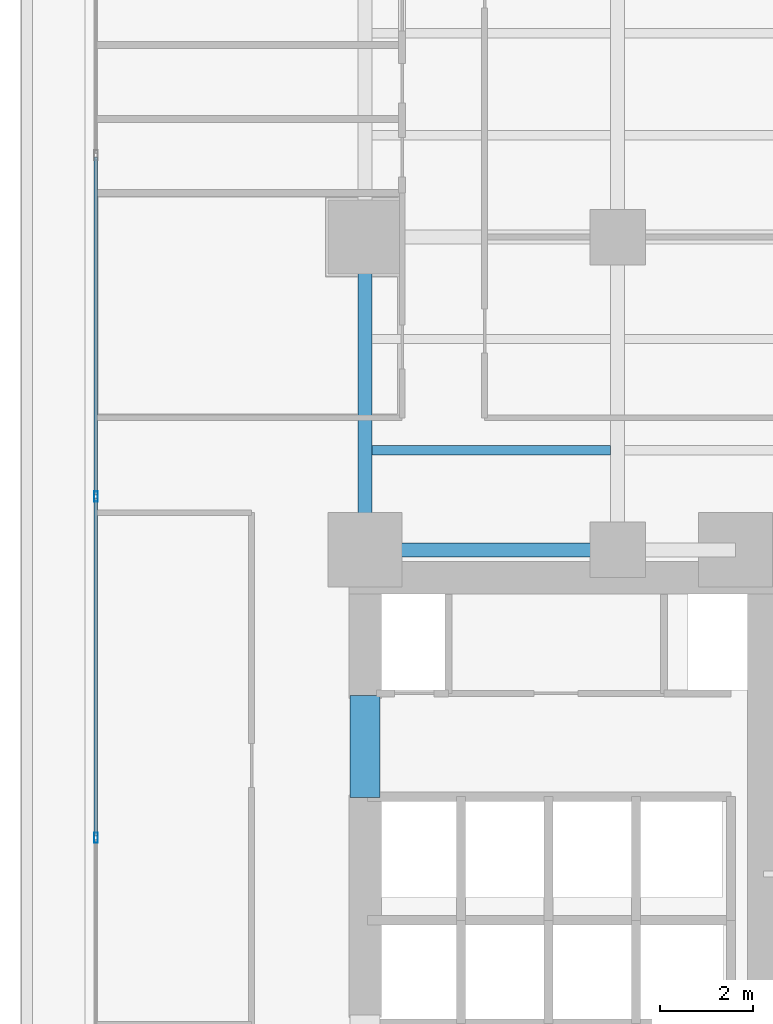
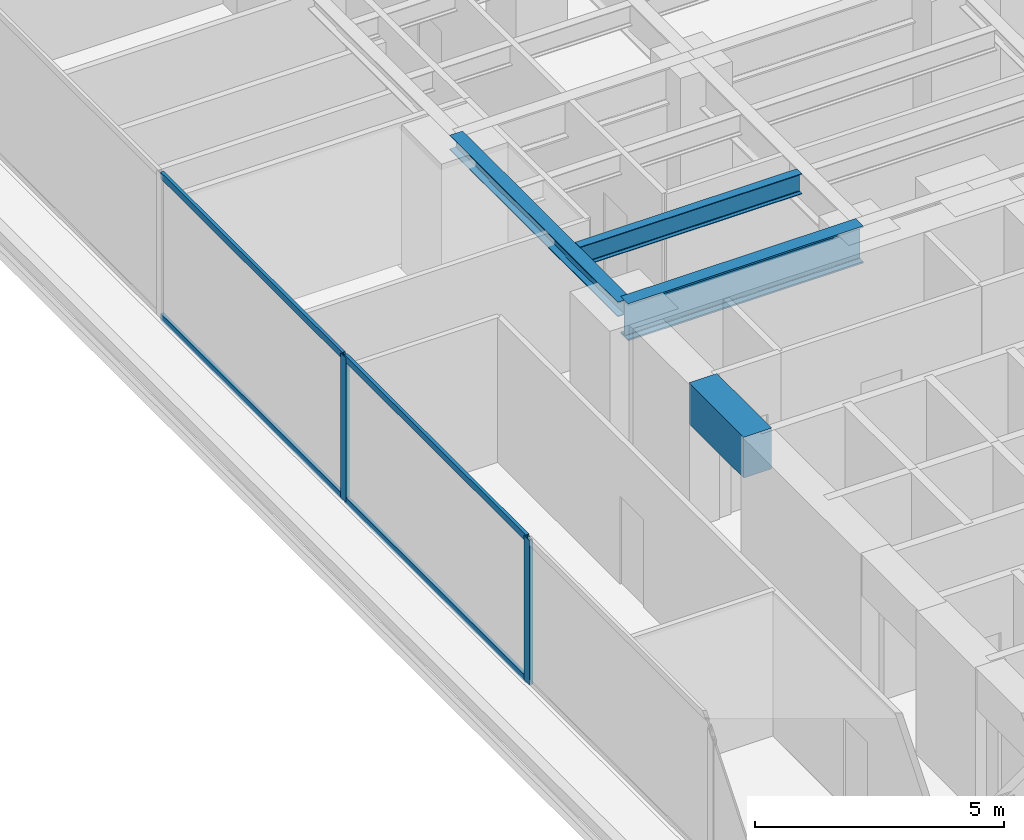
# One storey, part 6 of 29: 6 members, 4 beams, 1 element without a shape of its own.
"""IFC4 building model written with IfcOpenShell, lengths in metres."""

import ifcopenshell
import ifcopenshell.guid

model = None  # the IFC model being written
_history = None  # IfcOwnerHistory: only IFC2X3 demands one
_inside = {}  # id of a spatial element -> (the spatial element, [elements in it])
_under = {}  # id of a project, library or spatial element -> (it, [spatial elements below it])
_declared = {}  # id of a project -> (the project, [libraries it declares])
_typed = {}  # id of a type object -> (the type object, [elements of that type])
_made_of = {}  # id of a material, layer set ... -> (it, [elements and type objects made of it])


def new_model(schema):
    """Start an empty IFC model of exactly this schema.

    Asked for "IFC4X3", IfcOpenShell would pick the latest addendum, in which some entities
    have other attributes; the version numbers below select the first issue.
    IFC2X3 requires an IfcOwnerHistory on every rooted entity: one is made here for all.
    """
    global model, _history
    if schema == "IFC4X3":
        model = ifcopenshell.file(schema_version=(4, 3, 0, 0))
    else:
        model = ifcopenshell.file(schema=schema)
    _inside.clear()
    _under.clear()
    _declared.clear()
    _typed.clear()
    _made_of.clear()
    _history = None
    if model.schema == "IFC2X3":
        org = make("IfcOrganization", Name="unknown")
        user = make(
            "IfcPersonAndOrganization",
            ThePerson=make("IfcPerson", FamilyName="unknown"),
            TheOrganization=org,
        )
        app = make(
            "IfcApplication",
            ApplicationDeveloper=org,
            Version="unknown",
            ApplicationFullName="unknown",
            ApplicationIdentifier="unknown",
        )
        _history = make(
            "IfcOwnerHistory",
            OwningUser=user,
            OwningApplication=app,
            ChangeAction="ADDED",
            CreationDate=0,
        )
    return model


def make(cls, **values):
    """One entity of the class cls with the attributes given. An attribute that is None is left unset."""
    return model.create_entity(
        cls, **{name: value for name, value in values.items() if value is not None}
    )


def rooted(cls, **values):
    """An entity with a GlobalId (a new one), such as an element, a storey or a relation."""
    return make(cls, GlobalId=ifcopenshell.guid.new(), OwnerHistory=_history, **values)


def si_unit(unit_type, name, prefix=None):
    """IfcSIUnit, for example si_unit("LENGTHUNIT", "METRE", prefix="MILLI")."""
    return make("IfcSIUnit", UnitType=unit_type, Prefix=prefix, Name=name)


def assignment(units):
    """IfcUnitAssignment: the units of a project."""
    return None if units is None else make("IfcUnitAssignment", Units=units)


def point(xyz):
    """IfcCartesianPoint."""
    return None if xyz is None else make("IfcCartesianPoint", Coordinates=xyz)


def direction(xyz):
    """IfcDirection."""
    return None if xyz is None else make("IfcDirection", DirectionRatios=xyz)


def frame(location, z_axis=None, x_axis=None):
    """IfcAxis2Placement3D, a coordinate frame: its origin and axes. An axis left out is left unset."""
    return make(
        "IfcAxis2Placement3D",
        Location=point(location),
        Axis=direction(z_axis),
        RefDirection=direction(x_axis),
    )


def frame_2d(location, x_axis=None):
    """IfcAxis2Placement2D, a coordinate frame in the plane: its origin and x axis."""
    return make(
        "IfcAxis2Placement2D", Location=point(location), RefDirection=direction(x_axis)
    )


def origin():
    """The frame at (0, 0, 0) with its axes left unset."""
    return frame((0.0, 0.0, 0.0))


def origin_with_axes():
    """The frame at (0, 0, 0) with the z axis (0, 0, 1) and the x axis (1, 0, 0) written out."""
    return frame((0.0, 0.0, 0.0), z_axis=(0.0, 0.0, 1.0), x_axis=(1.0, 0.0, 0.0))


def origin_2d():
    """The frame at (0, 0) in the plane with its x axis left unset."""
    return frame_2d((0.0, 0.0))


def place(relative_to, where):
    """IfcLocalPlacement: puts the frame where relative to a parent placement (None: the world)."""
    return make(
        "IfcLocalPlacement", PlacementRelTo=relative_to, RelativePlacement=where
    )


def context(
    kind, dimensions, precision=None, world=None, true_north=None, identifier=None
):
    """IfcGeometricRepresentationContext, for example the 3D "Model" context."""
    return make(
        "IfcGeometricRepresentationContext",
        ContextIdentifier=identifier,
        ContextType=kind,
        CoordinateSpaceDimension=dimensions,
        Precision=precision,
        WorldCoordinateSystem=world,
        TrueNorth=true_north,
    )


def subcontext(parent, identifier, kind, view, scale=None):
    """IfcGeometricRepresentationSubContext, for example "Body" below "Model"."""
    return make(
        "IfcGeometricRepresentationSubContext",
        ContextIdentifier=identifier,
        ContextType=kind,
        ParentContext=parent,
        TargetScale=scale,
        TargetView=view,
    )


def project(units=None, contexts=None):
    """IfcProject with its units and contexts."""
    return rooted(
        "IfcProject",
        Name="project",
        RepresentationContexts=contexts,
        UnitsInContext=assignment(units),
    )


def spatial(cls, under=None, at=None, **own):
    """A site, building, storey or space (cls), placed at a placement, below another one or the project."""
    s = rooted(cls, ObjectPlacement=at, **own)
    if under is not None:
        _under.setdefault(under.id(), (under, []))[1].append(s)
    return s


def profile(cls, at=None, kind="AREA", **sizes):
    """A parametric profile (cls). Its sizes go by their IFC names, for example OverallWidth=200.0."""
    return make(cls, ProfileType=kind, Position=at, **sizes)


def rectangle(**sizes):
    """IfcRectangleProfileDef."""
    return profile("IfcRectangleProfileDef", **sizes)


def hollow_rectangle(**sizes):
    """IfcRectangleHollowProfileDef."""
    return profile("IfcRectangleHollowProfileDef", **sizes)


def i_section(**sizes):
    """IfcIShapeProfileDef."""
    return profile("IfcIShapeProfileDef", **sizes)


def extrude(swept, where, along, depth):
    """IfcExtrudedAreaSolid: the profile swept, set in the frame where, extruded along a direction by depth."""
    return make(
        "IfcExtrudedAreaSolid",
        SweptArea=swept,
        Position=where,
        ExtrudedDirection=direction(along),
        Depth=depth,
    )


def shape(context_of_items, identifier, shape_type, items):
    """IfcShapeRepresentation: the items that make up one representation, for example the "Body"."""
    return make(
        "IfcShapeRepresentation",
        ContextOfItems=context_of_items,
        RepresentationIdentifier=identifier,
        RepresentationType=shape_type,
        Items=items,
    )


def source(mapping_origin, context_of_items, identifier, shape_type, items):
    """IfcRepresentationMap: a shape defined once, which mapped items show again and again."""
    return make(
        "IfcRepresentationMap",
        MappingOrigin=mapping_origin,
        MappedRepresentation=shape(context_of_items, identifier, shape_type, items),
    )


def transform(
    local_origin,
    x_axis=None,
    y_axis=None,
    z_axis=None,
    scale=None,
    scale2=None,
    scale3=None,
    uniform=True,
):
    """IfcCartesianTransformationOperator3D, or its non-uniform kind. x_axis, y_axis, z_axis: its Axis1, 2, 3."""
    if uniform:
        return make(
            "IfcCartesianTransformationOperator3D",
            Axis1=direction(x_axis),
            Axis2=direction(y_axis),
            LocalOrigin=point(local_origin),
            Scale=scale,
            Axis3=direction(z_axis),
        )
    return make(
        "IfcCartesianTransformationOperator3DnonUniform",
        Axis1=direction(x_axis),
        Axis2=direction(y_axis),
        LocalOrigin=point(local_origin),
        Scale=scale,
        Axis3=direction(z_axis),
        Scale2=scale2,
        Scale3=scale3,
    )


def mapped(mapping_source, mapping_target):
    """IfcMappedItem: shows the shape of a source again, moved by a transform."""
    return make(
        "IfcMappedItem", MappingSource=mapping_source, MappingTarget=mapping_target
    )


def material(Name=None, Category=None):
    """IfcMaterial."""
    return make("IfcMaterial", Name=Name, Category=Category)


def layer(
    of_material, thickness, ventilated=None, Name=None, Category=None, Priority=None
):
    """IfcMaterialLayer: one layer of a wall or slab, of a material (None: an air gap)."""
    return make(
        "IfcMaterialLayer",
        Material=of_material,
        LayerThickness=thickness,
        IsVentilated=ventilated,
        Name=Name,
        Category=Category,
        Priority=Priority,
    )


def layer_set(layers, Name=None):
    """IfcMaterialLayerSet."""
    return make("IfcMaterialLayerSet", MaterialLayers=layers, LayerSetName=Name)


def material_profile(
    of_material, cross_section, Name=None, Category=None, Priority=None
):
    """IfcMaterialProfile: a cross section and its material."""
    return make(
        "IfcMaterialProfile",
        Name=Name,
        Material=of_material,
        Profile=cross_section,
        Priority=Priority,
        Category=Category,
    )


def profile_set(profiles, Name=None, composite=None):
    """IfcMaterialProfileSet."""
    return make(
        "IfcMaterialProfileSet",
        Name=Name,
        MaterialProfiles=profiles,
        CompositeProfile=composite,
    )


def made_of(thing, what):
    """Note that an element or type object is made of a material, layer set ...; save() writes the relation."""
    if what is not None:
        _made_of.setdefault(what.id(), (what, []))[1].append(thing)
    return thing


def type_object(cls, material=None, **own):
    """A type object (cls), such as IfcWallType, which elements share."""
    return made_of(rooted(cls, **own), material)


def element(
    cls,
    number,
    at=None,
    inside=None,
    cuts=None,
    type_object=None,
    material=None,
    context=None,
    identifier="Body",
    shape_type=None,
    held_by="IfcProductDefinitionShape",
    body=None,
    shapes=None,
    **own,
):
    """One element of the class cls, such as IfcWall. Its Tag is "e" and its number.

    at: its placement. inside: the storey or other place that contains it. cuts: it is an
    opening in that element (IfcRelVoidsElement). A single representation is given by context,
    identifier, shape_type and body (its items); several are given by shapes. held_by: the class
    of the entity that holds the representations. save() writes the other relations.
    """
    e = rooted(cls, Tag="e%d" % number, ObjectPlacement=at, **own)
    if body is not None:
        shapes = [shape(context, identifier, shape_type, body)]
    if shapes is not None:
        e.Representation = make(held_by, Representations=shapes)
    if inside is not None:
        _inside.setdefault(inside.id(), (inside, []))[1].append(e)
    if cuts is not None:
        rooted(
            "IfcRelVoidsElement", RelatingBuildingElement=cuts, RelatedOpeningElement=e
        )
    if type_object is not None:
        _typed.setdefault(type_object.id(), (type_object, []))[1].append(e)
    return made_of(e, material)


def aggregate(whole, parts):
    """IfcRelAggregates: a whole, such as a stair, and the parts it consists of."""
    return rooted("IfcRelAggregates", RelatingObject=whole, RelatedObjects=parts)


def save(model, path):
    """Write the relations noted so far, then the file.

    IfcRelAggregates (storeys below a building ...), IfcRelContainedInSpatialStructure (elements
    in a storey), IfcRelDefinesByType, IfcRelAssociatesMaterial and IfcRelDeclares: one each for
    every whole, place, type object, material and project.
    """
    for whole, parts in _under.values():
        aggregate(whole, parts)
    for where, things in _inside.values():
        rooted(
            "IfcRelContainedInSpatialStructure",
            RelatedElements=things,
            RelatingStructure=where,
        )
    for kind, things in _typed.values():
        rooted("IfcRelDefinesByType", RelatedObjects=things, RelatingType=kind)
    for what, things in _made_of.values():
        rooted("IfcRelAssociatesMaterial", RelatedObjects=things, RelatingMaterial=what)
    for by, libraries in _declared.values():
        rooted("IfcRelDeclares", RelatingContext=by, RelatedDefinitions=libraries)
    model.write(path)


model = new_model("IFC4")

# Units and contexts
model_context = context("Model", 3, precision=1e-05, world=origin(), true_north=direction((0.0, 1.0)))
body_context = subcontext(model_context, "Body", "Model", "MODEL_VIEW")
ifc_project = project(units=[si_unit("LENGTHUNIT", "METRE"), si_unit("AREAUNIT", "SQUARE_METRE"), si_unit("VOLUMEUNIT", "CUBIC_METRE"), si_unit("PLANEANGLEUNIT", "RADIAN"), si_unit("MASSUNIT", "GRAM", prefix="KILO")], contexts=[model_context])

# Site, building, storey
site_placement = place(None, origin())
site = spatial("IfcSite", under=ifc_project, at=site_placement, CompositionType="ELEMENT")
building_placement = place(site_placement, origin())
building = spatial("IfcBuilding", under=site, at=building_placement, Name="Kolvaren Waterfront Exchange", CompositionType="ELEMENT")
storey_placement = place(building_placement, frame((0.0, 0.0, 29.60009765625)))
storey = spatial("IfcBuildingStorey", under=building, at=storey_placement, Name="L07", CompositionType="ELEMENT", Elevation=29.60009765625)

# Beams
ifc_material_1 = material(Name="Steel S355", Category="steel")
ifc_material_profile_1 = material_profile(ifc_material_1, i_section(OverallWidth=0.300048828125, OverallDepth=0.360107421875, WebThickness=0.012451171875, FlangeThickness=0.0224609375, FilletRadius=0.027099609375, at=origin_2d()), Name="HEB360")
ifc_profile_set_1 = profile_set([ifc_material_profile_1], Name="Steel S355")
beam_type_1 = type_object("IfcBeamType", Name="STR-BM-HEB360", PredefinedType="SPANDREL", material=ifc_profile_set_1)
beam_1_placement = place(storey_placement, frame((7.449951171875, 24.449951171875, 3.35986328125), z_axis=(0.0, 1.0, 0.0), x_axis=(-1.0, 0.0, 0.0)))
element("IfcBeam", 1, at=beam_1_placement, inside=storey, type_object=beam_type_1, Name="L07 north-arm edge beam 1", PredefinedType="SPANDREL", context=body_context, shape_type="SweptSolid", body=[
    extrude(i_section(OverallWidth=0.300048828125, OverallDepth=0.360107421875, WebThickness=0.012451171875, FlangeThickness=0.0224609375, FilletRadius=0.027099609375, at=origin_2d()), origin(), (0.0, 0.0, 1.0), 6.75),
])
ifc_material_profile_2 = material_profile(ifc_material_1, i_section(OverallWidth=0.199951171875, OverallDepth=0.5, WebThickness=0.01025390625, FlangeThickness=0.01611328125, FilletRadius=0.02099609375, at=origin_2d()), Name="IPE500")
ifc_profile_set_2 = profile_set([ifc_material_profile_2], Name="Steel S355")
beam_type_2 = type_object("IfcBeamType", Name="STR-BM-IPE500", PredefinedType="JOIST", material=ifc_profile_set_2)
beam_2_placement = place(storey_placement, frame((7.60205078125, 26.60009765625, 3.289794921875), z_axis=(1.0, 0.0, 0.0), x_axis=(0.0, 1.0, 0.0)))
element("IfcBeam", 2, at=beam_2_placement, inside=storey, type_object=beam_type_2, Name="L07 north-arm composite joist 1A", PredefinedType="JOIST", context=body_context, shape_type="SweptSolid", body=[
    extrude(i_section(OverallWidth=0.199951171875, OverallDepth=0.5, WebThickness=0.01025390625, FlangeThickness=0.01611328125, FilletRadius=0.02099609375, at=origin_2d()), origin(), (0.0, 0.0, 1.0), 5.14501953125),
])
ifc_material_2 = material(Name="Concrete C60/75", Category="concrete")
ifc_material_profile_3 = material_profile(ifc_material_2, rectangle(XDim=0.64990234375, YDim=1.0, at=origin_2d()), Name="RC-CB-1000x650")
ifc_profile_set_3 = profile_set([ifc_material_profile_3], Name="Concrete C60/75")
beam_type_3 = type_object("IfcBeamType", Name="STR-CB-1000", PredefinedType="SPANDREL", material=ifc_profile_set_3)
beam_3_placement = place(storey_placement, frame((7.449951171875, 19.10009765625, 3.039794921875), z_axis=(0.0, 1.0, 0.0), x_axis=(-1.0, 0.0, 0.0)))
element("IfcBeam", 3, at=beam_3_placement, inside=storey, type_object=beam_type_3, Name="L07 core coupling beam 5", PredefinedType="SPANDREL", context=body_context, shape_type="SweptSolid", body=[
    extrude(rectangle(XDim=0.64990234375, YDim=1.0, at=origin_2d()), origin(), (0.0, 0.0, 1.0), 2.199951171875),
])
ifc_material_3 = material(Name="Steel S460", Category="steel")
ifc_material_profile_4 = material_profile(ifc_material_3, i_section(OverallWidth=0.302001953125, OverallDepth=0.909912109375, WebThickness=0.02099609375, FlangeThickness=0.0400390625, FilletRadius=0.030029296875, at=origin_2d()), Name="HEM900")
ifc_profile_set_4 = profile_set([ifc_material_profile_4], Name="Steel S460")
beam_type_4 = type_object("IfcBeamType", Name="STR-TRG-HEM900", PredefinedType="BEAM", material=ifc_profile_set_4)
beam_4_placement = place(storey_placement, frame((7.449951171875, 24.449951171875, 3.0849609375), z_axis=(1.0, 0.0, 0.0), x_axis=(0.0, 1.0, 0.0)))
element("IfcBeam", 4, at=beam_4_placement, inside=storey, type_object=beam_type_4, Name="L07 north-arm girder 1A", PredefinedType="BEAM", context=body_context, shape_type="SweptSolid", body=[
    extrude(i_section(OverallWidth=0.302001953125, OverallDepth=0.909912109375, WebThickness=0.02099609375, FlangeThickness=0.0400390625, FilletRadius=0.030029296875, at=origin_2d()), origin(), (0.0, 0.0, 1.0), 5.449951171875),
])

# Curtain wall, members
ifc_material_4 = material(Name="Anodised aluminium 6063-T6", Category="aluminium")
ifc_layer = layer(ifc_material_4, 0.219970703125, Name="Anodised aluminium 6063-T6")
ifc_layer_set = layer_set([ifc_layer], Name="Anodised aluminium 6063-T6")
curtain_wall_type = type_object("IfcCurtainWallType", Name="ARC-CW-SYS2", PredefinedType="USERDEFINED", material=ifc_layer_set)
curtain_wall_placement = place(storey_placement, origin())
curtain_wall = element("IfcCurtainWall", 5, at=curtain_wall_placement, inside=storey, type_object=curtain_wall_type, Name="L07 stick curtain wall CW2 (CW-L07-W)", ObjectType="STICK CURTAIN WALL", PredefinedType="USERDEFINED")
ifc_material_profile_5 = material_profile(ifc_material_4, hollow_rectangle(XDim=0.080078125, YDim=0.219970703125, WallThickness=0.0048828125, at=origin_2d()), Name="ALU-MUL-220x80x5")
ifc_profile_set_5 = profile_set([ifc_material_profile_5], Name="Anodised aluminium 6063-T6")
member_type_1 = type_object("IfcMemberType", Name="ARC-CWM-220", PredefinedType="MULLION", material=ifc_profile_set_5)
shared_shape_1 = source(origin_with_axes(), body_context, "Body", "SweptSolid", [
    extrude(hollow_rectangle(XDim=0.080078125, YDim=0.219970703125, WallThickness=0.0048828125, at=origin_2d()), origin(), (0.0, 0.0, 1.0), 3.539794921875),
])
member_1_placement = place(storey_placement, frame((1.639892578125, 18.2333984375, 0.0), z_axis=(0.0, 0.0, 1.0), x_axis=(-1.0, 0.0, 0.0)))
member_1 = element("IfcMember", 6, at=member_1_placement, type_object=member_type_1, Name="CW2 mullion 3", PredefinedType="MULLION", context=body_context, shape_type="MappedRepresentation", body=[
    mapped(shared_shape_1, transform((0.0, 0.0, 0.0), x_axis=(1.0, 0.0, 0.0), y_axis=(0.0, 1.0, 0.0), z_axis=(0.0, 0.0, 1.0), scale=1.0)),
])
member_2_placement = place(storey_placement, frame((1.639892578125, 25.60009765625, 0.0), z_axis=(0.0, 0.0, 1.0), x_axis=(-1.0, 0.0, 0.0)))
member_2 = element("IfcMember", 7, at=member_2_placement, type_object=member_type_1, Name="CW2 mullion 4", PredefinedType="MULLION", context=body_context, shape_type="MappedRepresentation", body=[
    mapped(shared_shape_1, transform((0.0, 0.0, 0.0), x_axis=(1.0, 0.0, 0.0), y_axis=(0.0, 1.0, 0.0), z_axis=(0.0, 0.0, 1.0), scale=1.0)),
])
ifc_material_profile_6 = material_profile(ifc_material_4, hollow_rectangle(XDim=0.074951171875, YDim=0.159912109375, WallThickness=0.00439453125, at=origin_2d()), Name="ALU-TRN-160x75x4.5")
ifc_profile_set_6 = profile_set([ifc_material_profile_6], Name="Anodised aluminium 6063-T6")
member_type_2 = type_object("IfcMemberType", Name="ARC-CWT-160", PredefinedType="USERDEFINED", material=ifc_profile_set_6)
shared_shape_2 = source(origin_with_axes(), body_context, "Body", "SweptSolid", [
    extrude(hollow_rectangle(XDim=0.074951171875, YDim=0.159912109375, WallThickness=0.00439453125, at=origin_2d()), origin(), (0.0, 0.0, 1.0), 7.28662109375),
])
member_3_placement = place(storey_placement, frame((1.639892578125, 18.2734375, 0.037353515625), z_axis=(0.0, 1.0, 0.0), x_axis=(-1.0, 0.0, 0.0)))
member_3 = element("IfcMember", 8, at=member_3_placement, type_object=member_type_2, Name="CW2 transom 3.1", ObjectType="TRANSOM", PredefinedType="USERDEFINED", context=body_context, shape_type="MappedRepresentation", body=[
    mapped(shared_shape_2, transform((0.0, 0.0, 0.0), x_axis=(1.0, 0.0, 0.0), y_axis=(0.0, 1.0, 0.0), z_axis=(0.0, 0.0, 1.0), scale=1.0)),
])
member_4_placement = place(storey_placement, frame((1.639892578125, 18.2734375, 3.50244140625), z_axis=(0.0, 1.0, 0.0), x_axis=(-1.0, 0.0, 0.0)))
member_4 = element("IfcMember", 9, at=member_4_placement, type_object=member_type_2, Name="CW2 transom 3.2", ObjectType="TRANSOM", PredefinedType="USERDEFINED", context=body_context, shape_type="MappedRepresentation", body=[
    mapped(shared_shape_2, transform((0.0, 0.0, 0.0), x_axis=(1.0, 0.0, 0.0), y_axis=(0.0, 1.0, 0.0), z_axis=(0.0, 0.0, 1.0), scale=1.0)),
])
shared_shape_3 = source(origin_with_axes(), body_context, "Body", "SweptSolid", [
    extrude(hollow_rectangle(XDim=0.074951171875, YDim=0.159912109375, WallThickness=0.00439453125, at=origin_2d()), origin(), (0.0, 0.0, 1.0), 7.286865234375),
])
member_5_placement = place(storey_placement, frame((1.639892578125, 25.639892578125, 0.037353515625), z_axis=(0.0, 1.0, 0.0), x_axis=(-1.0, 0.0, 0.0)))
member_5 = element("IfcMember", 10, at=member_5_placement, type_object=member_type_2, Name="CW2 transom 4.1", ObjectType="TRANSOM", PredefinedType="USERDEFINED", context=body_context, shape_type="MappedRepresentation", body=[
    mapped(shared_shape_3, transform((0.0, 0.0, 0.0), x_axis=(1.0, 0.0, 0.0), y_axis=(0.0, 1.0, 0.0), z_axis=(0.0, 0.0, 1.0), scale=1.0)),
])
member_6_placement = place(storey_placement, frame((1.639892578125, 25.639892578125, 3.50244140625), z_axis=(0.0, 1.0, 0.0), x_axis=(-1.0, 0.0, 0.0)))
member_6 = element("IfcMember", 11, at=member_6_placement, type_object=member_type_2, Name="CW2 transom 4.2", ObjectType="TRANSOM", PredefinedType="USERDEFINED", context=body_context, shape_type="MappedRepresentation", body=[
    mapped(shared_shape_3, transform((0.0, 0.0, 0.0), x_axis=(1.0, 0.0, 0.0), y_axis=(0.0, 1.0, 0.0), z_axis=(0.0, 0.0, 1.0), scale=1.0)),
])
aggregate(curtain_wall, [member_1, member_2, member_3, member_4, member_5, member_6])

save(model, "model.ifc")
